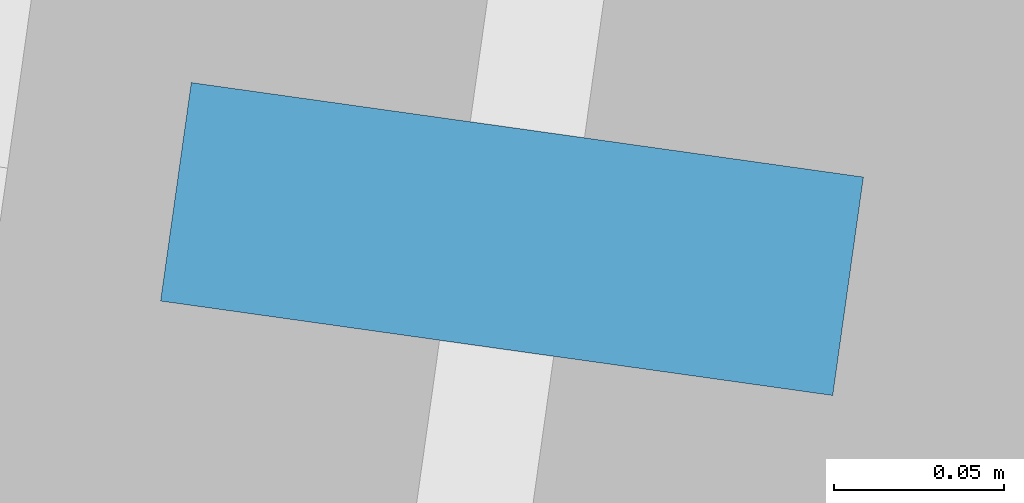
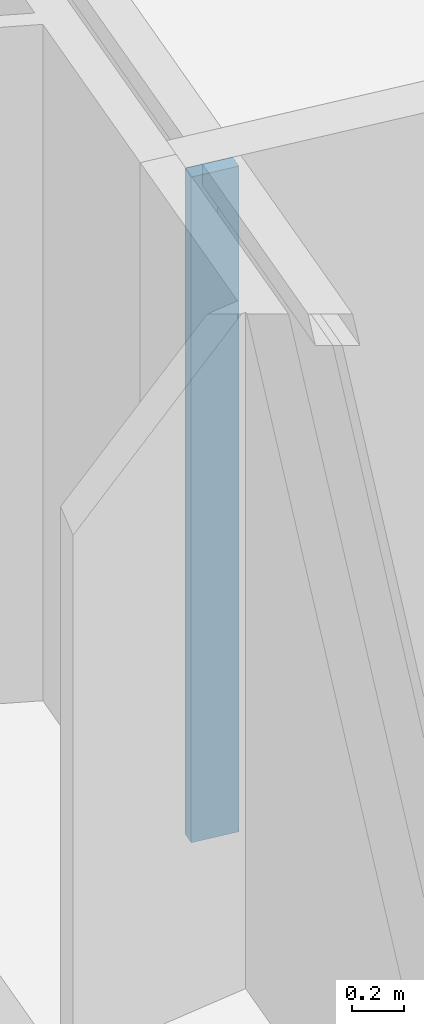
# One storey, part 4 of 26: 1 member, 1 element without a shape of its own.
"""IFC4 building model written with IfcOpenShell, lengths in metres."""

from ifc_helpers import new_model, si_unit, direction, frame, origin, origin_2d, place, context, subcontext, project, spatial, rectangle, extrude, material, material_profile, profile_set, type_object, element, aggregate, save


model = new_model("IFC4")

# Units and contexts
model_context = context("Model", 3, precision=1e-05, world=origin(), true_north=direction((0.0, 1.0)))
body_context = subcontext(model_context, "Body", "Model", "MODEL_VIEW")
ifc_project = project(units=[si_unit("LENGTHUNIT", "METRE"), si_unit("AREAUNIT", "SQUARE_METRE"), si_unit("VOLUMEUNIT", "CUBIC_METRE"), si_unit("PLANEANGLEUNIT", "RADIAN"), si_unit("MASSUNIT", "GRAM", prefix="KILO")], contexts=[model_context])

# Site, building, storey
site_placement = place(None, origin())
site = spatial("IfcSite", under=ifc_project, at=site_placement, CompositionType="ELEMENT")
building_placement = place(site_placement, origin())
building = spatial("IfcBuilding", under=site, at=building_placement, Name="Mirante Cascada Hotel Towers", CompositionType="ELEMENT")
storey_placement = place(building_placement, frame((0.0, 0.0, 216.6)))
storey = spatial("IfcBuildingStorey", under=building, at=storey_placement, Name="L51", CompositionType="ELEMENT", Elevation=216.6)

# Curtain wall, member
ifc_material_1 = material(Name="Aluminium mullion and transom frame with clear laminated glass", Category="aluminium")
curtain_wall_type = type_object("IfcCurtainWallType", Name="End ribbon curtain wall ECW2", PredefinedType="NOTDEFINED", material=ifc_material_1)
curtain_wall_placement = place(storey_placement, origin())
curtain_wall = element("IfcCurtainWall", 1, at=curtain_wall_placement, inside=storey, type_object=curtain_wall_type, Name="Outer end wall T1 L51", PredefinedType="NOTDEFINED")
ifc_material_2 = material(Name="Anodised aluminium extrusion", Category="aluminium")
ifc_material_profile = material_profile(ifc_material_2, rectangle(XDim=0.2, YDim=0.065, at=origin_2d()), Name="ECW2 MULLION 65x200")
ifc_profile_set = profile_set([ifc_material_profile], Name="Anodised aluminium extrusion")
member_type = type_object("IfcMemberType", Name="ECW2 mullion 65x200", PredefinedType="MULLION", material=ifc_profile_set)
member_placement = place(storey_placement, frame((-74.4135, 4.2419, 0.1), z_axis=(0.0, 0.0, 1.0), x_axis=(-0.9902681, 0.1391731, 0.0)))
member = element("IfcMember", 2, at=member_placement, type_object=member_type, Name="ECW2 mullion 4", PredefinedType="MULLION", context=body_context, shape_type="SweptSolid", body=[
    extrude(rectangle(XDim=0.2, YDim=0.065, at=origin_2d()), origin(), (0.0, 0.0, 1.0), 3.15),
])
aggregate(curtain_wall, [member])

save(model, "model.ifc")
